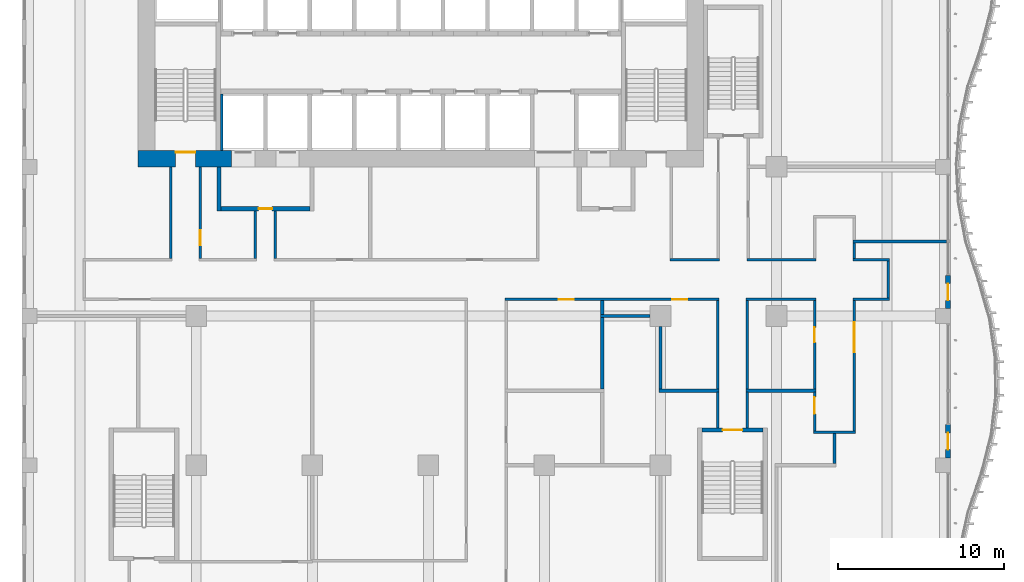
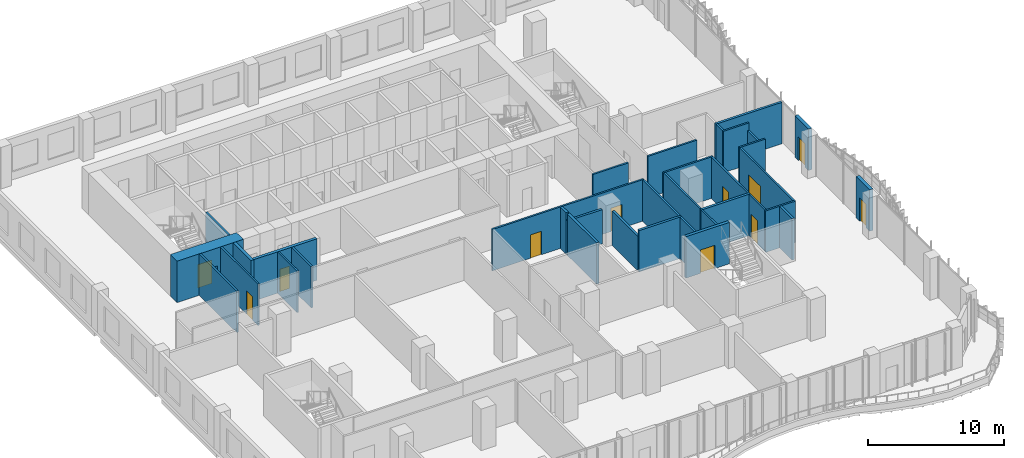
# One storey, part 14 of 28: 35 walls, 11 doors, 11 openings.
"""IFC4 building model written with IfcOpenShell, lengths in metres."""

from ifc_helpers import new_model, si_unit, direction, frame, frame_2d, origin, place, context, subcontext, project, spatial, rectangle, extrude, source, transform, mapped, material, layer, layer_set, type_object, element, fill, save


model = new_model("IFC4")

# Units and contexts
model_context = context("Model", 3, precision=1e-05, world=origin(), true_north=direction((0.0, 1.0)))
body_context = subcontext(model_context, "Body", "Model", "MODEL_VIEW")
ifc_project = project(units=[si_unit("LENGTHUNIT", "METRE"), si_unit("AREAUNIT", "SQUARE_METRE"), si_unit("VOLUMEUNIT", "CUBIC_METRE"), si_unit("PLANEANGLEUNIT", "RADIAN"), si_unit("MASSUNIT", "GRAM", prefix="KILO")], contexts=[model_context])

# Site, building, storey
site_placement = place(None, origin())
site = spatial("IfcSite", under=ifc_project, at=site_placement, CompositionType="ELEMENT")
building_placement = place(site_placement, origin())
building = spatial("IfcBuilding", under=site, at=building_placement, Name="Kilnfold Tower and Market Hall", CompositionType="ELEMENT")
storey_placement = place(building_placement, frame((0.0, 0.0, 87.199951171875)))
storey = spatial("IfcBuildingStorey", under=building, at=storey_placement, Name="L20", CompositionType="ELEMENT", Elevation=87.199951171875)

# Wall
ifc_material_1 = material(Name="Gypsum board on steel studs", Category="steel")
ifc_layer_1 = layer(ifc_material_1, 0.14990234375)
ifc_layer_set_1 = layer_set([ifc_layer_1], Name="Gypsum board on steel studs")
wall_type_1 = type_object("IfcWallType", Name="WALL CORRIDOR 150", PredefinedType="PARTITIONING", material=ifc_layer_set_1)
wall_1_placement = place(storey_placement, frame((-14.050048828125, 8.0, 0.0), z_axis=(0.0, 0.0, 1.0), x_axis=(0.0, -1.0, 0.0)))
element("IfcWall", 1, at=wall_1_placement, inside=storey, type_object=wall_type_1, Name="Partition LY14.9", PredefinedType="PARTITIONING", context=body_context, shape_type="SweptSolid", body=[
    extrude(rectangle(XDim=5.52490234375, YDim=0.14990234375, at=frame_2d((2.762451171875, 0.0))), origin(), (0.0, 0.0, 1.0), 3.719970703125),
])

# Wall, opening, door
wall_2_placement = place(storey_placement, frame((-12.25, 2.47509765625, 0.0), z_axis=(0.0, 0.0, 1.0), x_axis=(0.0, 1.0, 0.0)))
wall_2 = element("IfcWall", 2, at=wall_2_placement, inside=storey, type_object=wall_type_1, Name="Partition LY14.13", PredefinedType="PARTITIONING", context=body_context, shape_type="SweptSolid", body=[
    extrude(rectangle(XDim=5.52490234375, YDim=0.14990234375, at=frame_2d((2.762451171875, 0.0))), origin(), (0.0, 0.0, 1.0), 3.719970703125),
])
opening_1_placement = place(wall_2_placement, frame((0.803955078125, 0.0, 0.0)))
opening_1 = element("IfcOpeningElement", 3, at=opening_1_placement, cuts=wall_2, Name="Opening D2", PredefinedType="OPENING", context=body_context, shape_type="SweptSolid", body=[
    extrude(rectangle(XDim=0.89990234375, YDim=2.10009765625, at=frame_2d((0.449951171875, 1.050048828125))), frame((0.0, 0.0849609375, 0.0), z_axis=(0.0, -1.0, 0.0), x_axis=(1.0, 0.0, 0.0)), (0.0, 0.0, 1.0), 0.169921875),
])
ifc_material_2 = material(Name="Timber veneer door leaf in steel frame", Category="steel")
door_type_1 = type_object("IfcDoorType", Name="DOOR ROOM 900 X2100", OperationType="NOTDEFINED", PredefinedType="DOOR", material=ifc_material_2)
door_1_placement = place(opening_1_placement, origin())
door_1 = element("IfcDoor", 4, at=door_1_placement, inside=storey, type_object=door_type_1, Name="Door D2", OperationType="SINGLE_SWING_LEFT", OverallHeight=2.10009765625, OverallWidth=0.89990234375, PredefinedType="DOOR", context=body_context, shape_type="SweptSolid", body=[
    extrude(rectangle(XDim=0.89990234375, YDim=2.10009765625, at=frame_2d((0.449951171875, 1.050048828125))), frame((0.0, 0.02490234375, 0.0), z_axis=(0.0, -1.0, 0.0), x_axis=(1.0, 0.0, 0.0)), (0.0, 0.0, 1.0), 0.050048828125),
])
fill(opening_1, door_1)

# Walls
for number, where, z_axis, x_axis, name in (
    (5, (-8.929931640625, 5.35009765625, 0.0), (0.0, 0.0, 1.0), (0.0, -1.0, 0.0), "Partition LY14.15"),
    (6, (-7.72998046875, 2.47509765625, 0.0), (0.0, 0.0, 1.0), (0.0, 1.0, 0.0), "Partition LY14.16"),
):
    element("IfcWall", number, at=place(storey_placement, frame(where, z_axis=z_axis, x_axis=x_axis)), inside=storey, type_object=wall_type_1, Name=name, PredefinedType="PARTITIONING", context=body_context, shape_type="SweptSolid", body=[
        extrude(rectangle(XDim=2.875, YDim=0.14990234375, at=frame_2d((1.4375, 0.0))), origin(), (0.0, 0.0, 1.0), 3.719970703125),
    ])

# Wall, openings, doors
wall_3_placement = place(storey_placement, frame((6.125, 0.0, 0.0), z_axis=(0.0, 0.0, 1.0), x_axis=(1.0, 0.0, 0.0)))
wall_3 = element("IfcWall", 7, at=wall_3_placement, inside=storey, type_object=wall_type_1, Name="Partition LY14.21", PredefinedType="PARTITIONING", context=body_context, shape_type="SweptSolid", body=[
    extrude(rectangle(XDim=12.89990234375, YDim=0.14990234375, at=frame_2d((6.449951171875, 0.0))), origin(), (0.0, 0.0, 1.0), 3.719970703125),
])
opening_2_placement = place(wall_3_placement, frame((3.257080078125, 0.0, 0.0)))
opening_2 = element("IfcOpeningElement", 8, at=opening_2_placement, cuts=wall_3, Name="Opening D3", PredefinedType="OPENING", context=body_context, shape_type="SweptSolid", body=[
    extrude(rectangle(XDim=0.89990234375, YDim=2.10009765625, at=frame_2d((0.449951171875, 1.050048828125))), frame((0.0, 0.0849609375, 0.0), z_axis=(0.0, -1.0, 0.0), x_axis=(1.0, 0.0, 0.0)), (0.0, 0.0, 1.0), 0.169921875),
])
opening_3_placement = place(wall_3_placement, frame((10.090087890625, 0.0, 0.0)))
opening_3 = element("IfcOpeningElement", 9, at=opening_3_placement, cuts=wall_3, Name="Opening D2", PredefinedType="OPENING", context=body_context, shape_type="SweptSolid", body=[
    extrude(rectangle(XDim=0.89990234375, YDim=2.10009765625, at=frame_2d((0.449951171875, 1.050048828125))), frame((0.0, 0.0849609375, 0.0), z_axis=(0.0, -1.0, 0.0), x_axis=(1.0, 0.0, 0.0)), (0.0, 0.0, 1.0), 0.169921875),
])
door_2_placement = place(opening_3_placement, origin())
door_2 = element("IfcDoor", 10, at=door_2_placement, inside=storey, type_object=door_type_1, Name="Door D2", OperationType="SINGLE_SWING_LEFT", OverallHeight=2.10009765625, OverallWidth=0.89990234375, PredefinedType="DOOR", context=body_context, shape_type="SweptSolid", body=[
    extrude(rectangle(XDim=0.89990234375, YDim=2.10009765625, at=frame_2d((0.449951171875, 1.050048828125))), frame((0.0, 0.02490234375, 0.0), z_axis=(0.0, -1.0, 0.0), x_axis=(1.0, 0.0, 0.0)), (0.0, 0.0, 1.0), 0.050048828125),
])
fill(opening_3, door_2)
ifc_material_3 = material(Name="Timber veneer door leaf in steel frame", Category="steel")
door_type_2 = type_object("IfcDoorType", Name="DOOR WC 900 X2100", OperationType="NOTDEFINED", PredefinedType="DOOR", material=ifc_material_3)
door_3_placement = place(opening_2_placement, origin())
door_3 = element("IfcDoor", 11, at=door_3_placement, inside=storey, type_object=door_type_2, Name="Door D3", OperationType="SINGLE_SWING_LEFT", OverallHeight=2.10009765625, OverallWidth=0.89990234375, PredefinedType="DOOR", context=body_context, shape_type="SweptSolid", body=[
    extrude(rectangle(XDim=0.89990234375, YDim=2.10009765625, at=frame_2d((0.449951171875, 1.050048828125))), frame((0.0, 0.02490234375, 0.0), z_axis=(0.0, -1.0, 0.0), x_axis=(1.0, 0.0, 0.0)), (0.0, 0.0, 1.0), 0.050048828125),
])
fill(opening_2, door_3)

# Walls
wall_4_placement = place(storey_placement, frame((18.949951171875, -5.409912109375, 0.0), z_axis=(0.0, 0.0, 1.0), x_axis=(0.0, 1.0, 0.0)))
element("IfcWall", 12, at=wall_4_placement, inside=storey, type_object=wall_type_1, Name="Partition LY14.23", PredefinedType="PARTITIONING", context=body_context, shape_type="SweptSolid", body=[
    extrude(rectangle(XDim=5.3349609375, YDim=0.14990234375, at=frame_2d((2.66748046875, 0.0))), origin(), (0.0, 0.0, 1.0), 3.719970703125),
])
wall_5_placement = place(storey_placement, frame((24.72509765625, -8.0, 0.0), z_axis=(0.0, 0.0, 1.0), x_axis=(1.0, 0.0, 0.0)))
element("IfcWall", 13, at=wall_5_placement, inside=storey, type_object=wall_type_1, Name="Partition LY14.24", PredefinedType="PARTITIONING", context=body_context, shape_type="SweptSolid", body=[
    extrude(rectangle(XDim=2.5498046875, YDim=0.14990234375, at=frame_2d((1.27490234375, 0.0))), origin(), (0.0, 0.0, 1.0), 3.719970703125),
])

# Wall, opening, door
wall_6_placement = place(storey_placement, frame((24.800048828125, -7.925048828125, 0.0), z_axis=(0.0, 0.0, 1.0), x_axis=(0.0, 1.0, 0.0)))
wall_6 = element("IfcWall", 14, at=wall_6_placement, inside=storey, type_object=wall_type_1, Name="Partition LY14.25", PredefinedType="PARTITIONING", context=body_context, shape_type="SweptSolid", body=[
    extrude(rectangle(XDim=2.3349609375, YDim=0.14990234375, at=frame_2d((1.16748046875, 0.0))), origin(), (0.0, 0.0, 1.0), 3.719970703125),
])
opening_4_placement = place(wall_6_placement, frame((1.031005859375, 0.0, 0.0)))
opening_4 = element("IfcOpeningElement", 15, at=opening_4_placement, cuts=wall_6, Name="Opening D1", PredefinedType="OPENING", context=body_context, shape_type="SweptSolid", body=[
    extrude(rectangle(XDim=1.0, YDim=2.10009765625, at=frame_2d((0.5, 1.050048828125))), frame((0.0, 0.0849609375, 0.0), z_axis=(0.0, -1.0, 0.0), x_axis=(1.0, 0.0, 0.0)), (0.0, 0.0, 1.0), 0.169921875),
])
ifc_material_4 = material(Name="Timber veneer door leaf in steel frame", Category="steel")
door_type_3 = type_object("IfcDoorType", Name="DOOR ENTRY 1000 X2100", OperationType="NOTDEFINED", PredefinedType="DOOR", material=ifc_material_4)
door_4_placement = place(opening_4_placement, origin())
door_4 = element("IfcDoor", 16, at=door_4_placement, inside=storey, type_object=door_type_3, Name="Door D1", OperationType="SINGLE_SWING_RIGHT", OverallHeight=2.10009765625, OverallWidth=1.0, PredefinedType="DOOR", context=body_context, shape_type="SweptSolid", body=[
    extrude(rectangle(XDim=1.0, YDim=2.10009765625, at=frame_2d((0.5, 1.050048828125))), frame((0.0, 0.02490234375, 0.0), z_axis=(0.0, -1.0, 0.0), x_axis=(1.0, 0.0, 0.0)), (0.0, 0.0, 1.0), 0.050048828125),
])
fill(opening_4, door_4)

# Walls
for number, where, z_axis, x_axis, name in (
    (17, (20.75, -7.75, 0.0), (0.0, 0.0, 1.0), (0.0, 1.0, 0.0), "Partition LY14.26"),
    (18, (18.949951171875, -7.75, 0.0), (0.0, 0.0, 1.0), (0.0, 1.0, 0.0), "Partition LY14.27"),
):
    element("IfcWall", number, at=place(storey_placement, frame(where, z_axis=z_axis, x_axis=x_axis)), inside=storey, type_object=wall_type_1, Name=name, PredefinedType="PARTITIONING", context=body_context, shape_type="SweptSolid", body=[
        extrude(rectangle(XDim=2.159912109375, YDim=0.14990234375, at=frame_2d((1.080078125, 0.0))), origin(), (0.0, 0.0, 1.0), 3.719970703125),
    ])
wall_7_placement = place(storey_placement, frame((16.074951171875, 2.39990234375, 0.0), z_axis=(0.0, 0.0, 1.0), x_axis=(1.0, 0.0, 0.0)))
element("IfcWall", 19, at=wall_7_placement, inside=storey, type_object=wall_type_1, Name="Partition LY14.29", PredefinedType="PARTITIONING", context=body_context, shape_type="SweptSolid", body=[
    extrude(rectangle(XDim=3.0, YDim=0.14990234375, at=frame_2d((1.5, 0.0))), origin(), (0.0, 0.0, 1.0), 3.719970703125),
])

# Wall, opening, door
wall_8_placement = place(storey_placement, frame((24.800048828125, -5.409912109375, 0.0), z_axis=(0.0, 0.0, 1.0), x_axis=(0.0, 1.0, 0.0)))
wall_8 = element("IfcWall", 20, at=wall_8_placement, inside=storey, type_object=wall_type_1, Name="Partition LY14.32", PredefinedType="PARTITIONING", context=body_context, shape_type="SweptSolid", body=[
    extrude(rectangle(XDim=5.3349609375, YDim=0.14990234375, at=frame_2d((2.66748046875, 0.0))), origin(), (0.0, 0.0, 1.0), 3.719970703125),
])
opening_5_placement = place(wall_8_placement, frame((2.822998046875, 0.0, 0.0)))
opening_5 = element("IfcOpeningElement", 21, at=opening_5_placement, cuts=wall_8, Name="Opening D2", PredefinedType="OPENING", context=body_context, shape_type="SweptSolid", body=[
    extrude(rectangle(XDim=0.89990234375, YDim=2.10009765625, at=frame_2d((0.449951171875, 1.050048828125))), frame((0.0, 0.0849609375, 0.0), z_axis=(0.0, -1.0, 0.0), x_axis=(1.0, 0.0, 0.0)), (0.0, 0.0, 1.0), 0.169921875),
])
door_5_placement = place(opening_5_placement, origin())
door_5 = element("IfcDoor", 22, at=door_5_placement, inside=storey, type_object=door_type_1, Name="Door D2", OperationType="SINGLE_SWING_LEFT", OverallHeight=2.10009765625, OverallWidth=0.89990234375, PredefinedType="DOOR", context=body_context, shape_type="SweptSolid", body=[
    extrude(rectangle(XDim=0.89990234375, YDim=2.10009765625, at=frame_2d((0.449951171875, 1.050048828125))), frame((0.0, 0.02490234375, 0.0), z_axis=(0.0, -1.0, 0.0), x_axis=(1.0, 0.0, 0.0)), (0.0, 0.0, 1.0), 0.050048828125),
])
fill(opening_5, door_5)

# Walls
wall_9_placement = place(storey_placement, frame((20.675048828125, 0.0, 0.0), z_axis=(0.0, 0.0, 1.0), x_axis=(1.0, 0.0, 0.0)))
element("IfcWall", 23, at=wall_9_placement, inside=storey, type_object=wall_type_1, Name="Partition LY14.33", PredefinedType="PARTITIONING", context=body_context, shape_type="SweptSolid", body=[
    extrude(rectangle(XDim=4.199951171875, YDim=0.14990234375, at=frame_2d((2.10009765625, 0.0))), origin(), (0.0, 0.0, 1.0), 3.719970703125),
])
wall_10_placement = place(storey_placement, frame((20.75, -5.409912109375, 0.0), z_axis=(0.0, 0.0, 1.0), x_axis=(0.0, 1.0, 0.0)))
element("IfcWall", 24, at=wall_10_placement, inside=storey, type_object=wall_type_1, Name="Partition LY14.34", PredefinedType="PARTITIONING", context=body_context, shape_type="SweptSolid", body=[
    extrude(rectangle(XDim=5.3349609375, YDim=0.14990234375, at=frame_2d((2.66748046875, 0.0))), origin(), (0.0, 0.0, 1.0), 3.719970703125),
])
wall_11_placement = place(storey_placement, frame((20.72509765625, 2.39990234375, 0.0), z_axis=(0.0, 0.0, 1.0), x_axis=(1.0, 0.0, 0.0)))
element("IfcWall", 25, at=wall_11_placement, inside=storey, type_object=wall_type_1, Name="Partition LY14.36", PredefinedType="PARTITIONING", context=body_context, shape_type="SweptSolid", body=[
    extrude(rectangle(XDim=4.14990234375, YDim=0.14990234375, at=frame_2d((2.074951171875, 0.0))), origin(), (0.0, 0.0, 1.0), 3.719970703125),
])
wall_12_placement = place(storey_placement, frame((27.199951171875, 2.47509765625, 0.0), z_axis=(0.0, 0.0, 1.0), x_axis=(0.0, 1.0, 0.0)))
element("IfcWall", 26, at=wall_12_placement, inside=storey, type_object=wall_type_1, Name="Partition LY14.40", PredefinedType="PARTITIONING", context=body_context, shape_type="SweptSolid", body=[
    extrude(rectangle(XDim=0.934814453125, YDim=0.14990234375, at=frame_2d((0.46728515625, 0.0))), origin(), (0.0, 0.0, 1.0), 3.719970703125),
])
wall_13_placement = place(storey_placement, frame((27.125, 2.39990234375, 0.0), z_axis=(0.0, 0.0, 1.0), x_axis=(1.0, 0.0, 0.0)))
element("IfcWall", 27, at=wall_13_placement, inside=storey, type_object=wall_type_1, Name="Partition LY14.41", PredefinedType="PARTITIONING", context=body_context, shape_type="SweptSolid", body=[
    extrude(rectangle(XDim=2.199951171875, YDim=0.14990234375, at=frame_2d((1.10009765625, 0.0))), origin(), (0.0, 0.0, 1.0), 3.719970703125),
])
wall_14_placement = place(storey_placement, frame((29.25, 0.074951171875, 0.0), z_axis=(0.0, 0.0, 1.0), x_axis=(0.0, 1.0, 0.0)))
element("IfcWall", 28, at=wall_14_placement, inside=storey, type_object=wall_type_1, Name="Partition LY14.42", PredefinedType="PARTITIONING", context=body_context, shape_type="SweptSolid", body=[
    extrude(rectangle(XDim=2.25, YDim=0.14990234375, at=frame_2d((1.125, 0.0))), origin(), (0.0, 0.0, 1.0), 3.070068359375),
])
wall_15_placement = place(storey_placement, frame((27.125, 0.0, 0.0), z_axis=(0.0, 0.0, 1.0), x_axis=(1.0, 0.0, 0.0)))
element("IfcWall", 29, at=wall_15_placement, inside=storey, type_object=wall_type_1, Name="Partition LY14.43", PredefinedType="PARTITIONING", context=body_context, shape_type="SweptSolid", body=[
    extrude(rectangle(XDim=2.199951171875, YDim=0.14990234375, at=frame_2d((1.10009765625, 0.0))), origin(), (0.0, 0.0, 1.0), 3.719970703125),
])

# Wall, opening, door
wall_16_placement = place(storey_placement, frame((27.199951171875, -7.925048828125, 0.0), z_axis=(0.0, 0.0, 1.0), x_axis=(0.0, 1.0, 0.0)))
wall_16 = element("IfcWall", 30, at=wall_16_placement, inside=storey, type_object=wall_type_1, Name="Partition LY14.44", PredefinedType="PARTITIONING", context=body_context, shape_type="SweptSolid", body=[
    extrude(rectangle(XDim=7.85009765625, YDim=0.14990234375, at=frame_2d((3.925048828125, 0.0))), origin(), (0.0, 0.0, 1.0), 3.719970703125),
])
opening_6_placement = place(wall_16_placement, frame((4.739990234375, 0.0, 0.0)))
opening_6 = element("IfcOpeningElement", 31, at=opening_6_placement, cuts=wall_16, Name="Opening D5", PredefinedType="OPENING", context=body_context, shape_type="SweptSolid", body=[
    extrude(rectangle(XDim=1.800048828125, YDim=2.10009765625, at=frame_2d((0.89990234375, 1.050048828125))), frame((0.0, 0.0849609375, 0.0), z_axis=(0.0, -1.0, 0.0), x_axis=(1.0, 0.0, 0.0)), (0.0, 0.0, 1.0), 0.169921875),
])
ifc_material_5 = material(Name="Timber veneer door leaf in steel frame", Category="steel")
door_type_4 = type_object("IfcDoorType", Name="DOOR DOUBLE 1800 X2100", OperationType="NOTDEFINED", PredefinedType="DOOR", material=ifc_material_5)
door_6_placement = place(opening_6_placement, origin())
door_6 = element("IfcDoor", 32, at=door_6_placement, inside=storey, type_object=door_type_4, Name="Door D5", OperationType="DOUBLE_DOOR_SINGLE_SWING", OverallHeight=2.10009765625, OverallWidth=1.800048828125, PredefinedType="DOOR", context=body_context, shape_type="SweptSolid", body=[
    extrude(rectangle(XDim=1.800048828125, YDim=2.10009765625, at=frame_2d((0.89990234375, 1.050048828125))), frame((0.0, 0.02490234375, 0.0), z_axis=(0.0, -1.0, 0.0), x_axis=(1.0, 0.0, 0.0)), (0.0, 0.0, 1.0), 0.050048828125),
])
fill(opening_6, door_6)

# Walls
ifc_material_6 = material(Name="Gypsum board on steel studs", Category="steel")
ifc_layer_2 = layer(ifc_material_6, 0.199951171875)
ifc_layer_set_2 = layer_set([ifc_layer_2], Name="Gypsum board on steel studs")
wall_type_2 = type_object("IfcWallType", Name="WALL PARTY 200", PredefinedType="PARTITIONING", material=ifc_layer_set_2)
wall_17_placement = place(storey_placement, frame((12.0, -0.909912109375, 0.0), z_axis=(0.0, 0.0, 1.0), x_axis=(0.0, 1.0, 0.0)))
element("IfcWall", 33, at=wall_17_placement, inside=storey, type_object=wall_type_2, Name="Partition LY14.64", PredefinedType="PARTITIONING", context=body_context, shape_type="SweptSolid", body=[
    extrude(rectangle(XDim=0.833984375, YDim=0.199951171875, at=frame_2d((0.4169921875, 0.0))), origin(), (0.0, 0.0, 1.0), 3.719970703125),
])
wall_18_placement = place(storey_placement, frame((12.0, -5.39990234375, 0.0), z_axis=(0.0, 0.0, 1.0), x_axis=(0.0, 1.0, 0.0)))
element("IfcWall", 34, at=wall_18_placement, inside=storey, type_object=wall_type_2, Name="Partition LY14.65", PredefinedType="PARTITIONING", context=body_context, shape_type="SweptSolid", body=[
    extrude(rectangle(XDim=4.309814453125, YDim=0.199951171875, at=frame_2d((2.15478515625, 0.0))), origin(), (0.0, 0.0, 1.0), 3.719970703125),
])
wall_19_placement = place(storey_placement, frame((15.39990234375, -5.5, 0.0), z_axis=(0.0, 0.0, 1.0), x_axis=(1.0, 0.0, 0.0)))
element("IfcWall", 35, at=wall_19_placement, inside=storey, type_object=wall_type_2, Name="Partition LY14.66", PredefinedType="PARTITIONING", context=body_context, shape_type="SweptSolid", body=[
    extrude(rectangle(XDim=3.6240234375, YDim=0.199951171875, at=frame_2d((1.81201171875, 0.0))), origin(), (0.0, 0.0, 1.0), 3.719970703125),
])
wall_20_placement = place(storey_placement, frame((15.5, -5.39990234375, 0.0), z_axis=(0.0, 0.0, 1.0), x_axis=(0.0, 1.0, 0.0)))
element("IfcWall", 36, at=wall_20_placement, inside=storey, type_object=wall_type_2, Name="Partition LY14.67", PredefinedType="PARTITIONING", context=body_context, shape_type="SweptSolid", body=[
    extrude(rectangle(XDim=3.77490234375, YDim=0.199951171875, at=frame_2d((1.887451171875, 0.0))), origin(), (0.0, 0.0, 1.0), 3.070068359375),
])
wall_21_placement = place(storey_placement, frame((11.89990234375, -1.0, 0.0), z_axis=(0.0, 0.0, 1.0), x_axis=(1.0, 0.0, 0.0)))
element("IfcWall", 37, at=wall_21_placement, inside=storey, type_object=wall_type_2, Name="Partition LY14.68", PredefinedType="PARTITIONING", context=body_context, shape_type="SweptSolid", body=[
    extrude(rectangle(XDim=2.97509765625, YDim=0.199951171875, at=frame_2d((1.487548828125, 0.0))), origin(), (0.0, 0.0, 1.0), 3.070068359375),
])
wall_22_placement = place(storey_placement, frame((20.676025390625, -5.5, 0.0), z_axis=(0.0, 0.0, 1.0), x_axis=(1.0, 0.0, 0.0)))
element("IfcWall", 38, at=wall_22_placement, inside=storey, type_object=wall_type_2, Name="Partition LY14.69", PredefinedType="PARTITIONING", context=body_context, shape_type="SweptSolid", body=[
    extrude(rectangle(XDim=4.197998046875, YDim=0.199951171875, at=frame_2d((2.09912109375, 0.0))), origin(), (0.0, 0.0, 1.0), 3.719970703125),
])
wall_23_placement = place(storey_placement, frame((26.0, -9.89990234375, 0.0), z_axis=(0.0, 0.0, 1.0), x_axis=(0.0, 1.0, 0.0)))
element("IfcWall", 39, at=wall_23_placement, inside=storey, type_object=wall_type_2, Name="Partition LY14.70", PredefinedType="PARTITIONING", context=body_context, shape_type="SweptSolid", body=[
    extrude(rectangle(XDim=1.823974609375, YDim=0.199951171875, at=frame_2d((0.912109375, 0.0))), origin(), (0.0, 0.0, 1.0), 3.719970703125),
])
wall_24_placement = place(storey_placement, frame((27.1259765625, 3.5, 0.0), z_axis=(0.0, 0.0, 1.0), x_axis=(1.0, 0.0, 0.0)))
element("IfcWall", 40, at=wall_24_placement, inside=storey, type_object=wall_type_2, Name="Partition LY14.76", PredefinedType="PARTITIONING", context=body_context, shape_type="SweptSolid", body=[
    extrude(rectangle(XDim=5.6240234375, YDim=0.199951171875, at=frame_2d((2.81201171875, 0.0))), origin(), (0.0, 0.0, 1.0), 3.719970703125),
])

# Wall, opening, door
ifc_material_7 = material(Name="Concrete C80", Category="concrete")
ifc_layer_3 = layer(ifc_material_7, 1.0)
ifc_layer_set_3 = layer_set([ifc_layer_3], Name="Concrete C80")
wall_type_3 = type_object("IfcWallType", Name="CORE WALL 1000 C80", PredefinedType="SHEAR", material=ifc_layer_set_3)
shared_shape_1 = source(origin(), body_context, "Body", "SweptSolid", [
    extrude(rectangle(XDim=5.6298828125, YDim=1.0, at=frame_2d((2.81494140625, 0.0))), origin(), (0.0, 0.0, 1.0), 3.719970703125),
])
wall_25_placement = place(storey_placement, frame((-16.0, 8.5, 0.0), z_axis=(0.0, 0.0, 1.0), x_axis=(1.0, 0.0, 0.0)))
wall_25 = element("IfcWall", 41, at=wall_25_placement, inside=storey, type_object=wall_type_3, Name="Core outer wall south", PredefinedType="SHEAR", context=body_context, shape_type="MappedRepresentation", body=[
    mapped(shared_shape_1, transform((0.0, 0.0, 0.0))),
])
opening_7_placement = place(wall_25_placement, frame((2.25, 0.0, 0.0)))
opening_7 = element("IfcOpeningElement", 42, at=opening_7_placement, cuts=wall_25, Name="Opening SD1", PredefinedType="OPENING", context=body_context, shape_type="SweptSolid", body=[
    extrude(rectangle(XDim=1.199951171875, YDim=2.10009765625, at=frame_2d((0.60009765625, 1.050048828125))), frame((0.0, 0.510009765625, 0.0), z_axis=(0.0, -1.0, 0.0), x_axis=(1.0, 0.0, 0.0)), (0.0, 0.0, 1.0), 1.02001953125),
])
ifc_material_8 = material(Name="Steel door set with fire-resisting leaf", Category="steel")
door_type_5 = type_object("IfcDoorType", Name="STAIR FLOOR DOOR 1200X2100", OperationType="NOTDEFINED", PredefinedType="DOOR", material=ifc_material_8)
door_7_placement = place(opening_7_placement, origin())
door_7 = element("IfcDoor", 43, at=door_7_placement, inside=storey, type_object=door_type_5, Name="Exit stair ST1 door", OperationType="DOUBLE_DOOR_SINGLE_SWING", OverallHeight=2.10009765625, OverallWidth=1.199951171875, PredefinedType="DOOR", context=body_context, shape_type="SweptSolid", body=[
    extrude(rectangle(XDim=1.199951171875, YDim=2.10009765625, at=frame_2d((0.60009765625, 1.050048828125))), frame((0.0, 0.40478515625, 0.0), z_axis=(0.0, -1.0, 0.0), x_axis=(1.0, 0.0, 0.0)), (0.0, 0.0, 1.0), 0.050048828125),
])
fill(opening_7, door_7)

ifc_material_9 = material(Name="Concrete C80", Category="concrete")
ifc_layer_4 = layer(ifc_material_9, 0.25)
ifc_layer_set_4 = layer_set([ifc_layer_4], Name="Concrete C80")
wall_type_4 = type_object("IfcWallType", Name="CORE WALL 250 C80", PredefinedType="SHEAR", material=ifc_layer_set_4)
shared_shape_2 = source(origin(), body_context, "Body", "SweptSolid", [
    extrude(rectangle(XDim=3.699951171875, YDim=0.25, at=frame_2d((1.85009765625, 0.0))), origin(), (0.0, 0.0, 1.0), 3.719970703125),
])
wall_26_placement = place(storey_placement, frame((18.0, -7.875, 0.0), z_axis=(0.0, 0.0, 1.0), x_axis=(1.0, 0.0, 0.0)))
wall_26 = element("IfcWall", 44, at=wall_26_placement, inside=storey, type_object=wall_type_4, Name="Stair enclosure ST4", PredefinedType="SHEAR", context=body_context, shape_type="MappedRepresentation", body=[
    mapped(shared_shape_2, transform((0.0, 0.0, 0.0))),
])
opening_8_placement = place(wall_26_placement, frame((1.25, 0.0, 0.0)))
opening_8 = element("IfcOpeningElement", 45, at=opening_8_placement, cuts=wall_26, Name="Opening SD1", PredefinedType="OPENING", context=body_context, shape_type="SweptSolid", body=[
    extrude(rectangle(XDim=1.199951171875, YDim=2.10009765625, at=frame_2d((0.60009765625, 1.050048828125))), frame((0.0, 0.135009765625, 0.0), z_axis=(0.0, -1.0, 0.0), x_axis=(1.0, 0.0, 0.0)), (0.0, 0.0, 1.0), 0.27001953125),
])
door_8_placement = place(opening_8_placement, origin())
door_8 = element("IfcDoor", 46, at=door_8_placement, inside=storey, type_object=door_type_5, Name="Exit stair ST4 door", OperationType="DOUBLE_DOOR_SINGLE_SWING", OverallHeight=2.10009765625, OverallWidth=1.199951171875, PredefinedType="DOOR", context=body_context, shape_type="SweptSolid", body=[
    extrude(rectangle(XDim=1.199951171875, YDim=2.10009765625, at=frame_2d((0.60009765625, 1.050048828125))), frame((0.0, 0.02490234375, 0.0), z_axis=(0.0, -1.0, 0.0), x_axis=(1.0, 0.0, 0.0)), (0.0, 0.0, 1.0), 0.050048828125),
])
fill(opening_8, door_8)

ifc_material_10 = material(Name="Precast concrete C50/60", Category="concrete")
ifc_layer_5 = layer(ifc_material_10, 0.300048828125)
ifc_layer_set_5 = layer_set([ifc_layer_5], Name="Precast concrete C50/60")
wall_type_5 = type_object("IfcWallType", Name="PRECAST WALL 300", PredefinedType="SOLIDWALL", material=ifc_layer_set_5)
shared_shape_3 = source(origin(), body_context, "Body", "SweptSolid", [
    extrude(rectangle(XDim=2.0, YDim=0.300048828125, at=frame_2d((1.0, 0.0))), origin(), (0.0, 0.0, 1.0), 3.719970703125),
])
wall_27_placement = place(storey_placement, frame((32.85009765625, -9.550048828125, 0.0), z_axis=(0.0, 0.0, 1.0), x_axis=(0.0, 1.0, 0.0)))
wall_27 = element("IfcWall", 47, at=wall_27_placement, inside=storey, type_object=wall_type_5, Name="External wall L20 E", PredefinedType="SOLIDWALL", context=body_context, shape_type="MappedRepresentation", body=[
    mapped(shared_shape_3, transform((0.0, 0.0, 0.0))),
])
opening_9_placement = place(wall_27_placement, frame((0.5, 0.0, 0.0)))
opening_9 = element("IfcOpeningElement", 48, at=opening_9_placement, cuts=wall_27, Name="Opening BD1", PredefinedType="OPENING", context=body_context, shape_type="SweptSolid", body=[
    extrude(rectangle(XDim=1.0, YDim=2.10009765625, at=frame_2d((0.5, 1.050048828125))), frame((0.0, 0.16015625, 0.0), z_axis=(0.0, -1.0, 0.0), x_axis=(1.0, 0.0, 0.0)), (0.0, 0.0, 1.0), 0.320068359375),
])
ifc_material_11 = material(Name="Aluminium frame and double glazing", Category="aluminium")
door_type_6 = type_object("IfcDoorType", Name="BALCONY DOOR 1000X2100", OperationType="NOTDEFINED", PredefinedType="DOOR", material=ifc_material_11)
door_9_placement = place(opening_9_placement, origin())
door_9 = element("IfcDoor", 49, at=door_9_placement, inside=storey, type_object=door_type_6, Name="Balcony door BD1 L20 E-1", OperationType="SINGLE_SWING_LEFT", OverallHeight=2.10009765625, OverallWidth=1.0, PredefinedType="DOOR", context=body_context, shape_type="SweptSolid", body=[
    extrude(rectangle(XDim=1.0, YDim=2.10009765625, at=frame_2d((0.5, 1.050048828125))), frame((0.0, 0.02490234375, 0.0), z_axis=(0.0, -1.0, 0.0), x_axis=(1.0, 0.0, 0.0)), (0.0, 0.0, 1.0), 0.050048828125),
])
fill(opening_9, door_9)

wall_28_placement = place(storey_placement, frame((32.85009765625, -0.550048828125, 0.0), z_axis=(0.0, 0.0, 1.0), x_axis=(0.0, 1.0, 0.0)))
wall_28 = element("IfcWall", 50, at=wall_28_placement, inside=storey, type_object=wall_type_5, Name="External wall L20 E", PredefinedType="SOLIDWALL", context=body_context, shape_type="MappedRepresentation", body=[
    mapped(shared_shape_3, transform((0.0, 0.0, 0.0))),
])
opening_10_placement = place(wall_28_placement, frame((0.5, 0.0, 0.0)))
opening_10 = element("IfcOpeningElement", 51, at=opening_10_placement, cuts=wall_28, Name="Opening BD1", PredefinedType="OPENING", context=body_context, shape_type="SweptSolid", body=[
    extrude(rectangle(XDim=1.0, YDim=2.10009765625, at=frame_2d((0.5, 1.050048828125))), frame((0.0, 0.16015625, 0.0), z_axis=(0.0, -1.0, 0.0), x_axis=(1.0, 0.0, 0.0)), (0.0, 0.0, 1.0), 0.320068359375),
])
door_10_placement = place(opening_10_placement, origin())
door_10 = element("IfcDoor", 52, at=door_10_placement, inside=storey, type_object=door_type_6, Name="Balcony door BD1 L20 E-1", OperationType="SINGLE_SWING_LEFT", OverallHeight=2.10009765625, OverallWidth=1.0, PredefinedType="DOOR", context=body_context, shape_type="SweptSolid", body=[
    extrude(rectangle(XDim=1.0, YDim=2.10009765625, at=frame_2d((0.5, 1.050048828125))), frame((0.0, 0.02490234375, 0.0), z_axis=(0.0, -1.0, 0.0), x_axis=(1.0, 0.0, 0.0)), (0.0, 0.0, 1.0), 0.050048828125),
])
fill(opening_10, door_10)

# Wall
ifc_material_12 = material(Name="Gypsum shaft wall system")
ifc_layer_6 = layer(ifc_material_12, 0.25)
ifc_layer_set_6 = layer_set([ifc_layer_6], Name="Gypsum shaft wall system")
wall_type_6 = type_object("IfcWallType", Name="LOBBY WALL 250", PredefinedType="PARTITIONING", material=ifc_layer_set_6)
shared_shape_4 = source(origin(), body_context, "Body", "SweptSolid", [
    extrude(rectangle(XDim=2.64990234375, YDim=0.25, at=frame_2d((1.324951171875, 0.0))), origin(), (0.0, 0.0, 1.0), 3.719970703125),
])
wall_29_placement = place(storey_placement, frame((-11.135009765625, 5.35009765625, 0.0), z_axis=(0.0, 0.0, 1.0), x_axis=(0.0, 1.0, 0.0)))
element("IfcWall", 53, at=wall_29_placement, inside=storey, type_object=wall_type_6, Name="Firefighting lobby wall", PredefinedType="PARTITIONING", context=body_context, shape_type="MappedRepresentation", body=[
    mapped(shared_shape_4, transform((0.0, 0.0, 0.0))),
])

# Wall, opening, door
shared_shape_5 = source(origin(), body_context, "Body", "SweptSolid", [
    extrude(rectangle(XDim=5.360107421875, YDim=0.25, at=frame_2d((2.68017578125, 0.0))), origin(), (0.0, 0.0, 1.0), 3.719970703125),
])
wall_30_placement = place(storey_placement, frame((-11.010009765625, 5.47509765625, 0.0), z_axis=(0.0, 0.0, 1.0), x_axis=(1.0, 0.0, 0.0)))
wall_30 = element("IfcWall", 54, at=wall_30_placement, inside=storey, type_object=wall_type_6, Name="Firefighting lobby wall", PredefinedType="PARTITIONING", context=body_context, shape_type="MappedRepresentation", body=[
    mapped(shared_shape_5, transform((0.0, 0.0, 0.0))),
])
opening_11_placement = place(wall_30_placement, frame((2.280029296875, 0.0, 0.0)))
opening_11 = element("IfcOpeningElement", 55, at=opening_11_placement, cuts=wall_30, Name="Opening VD1", PredefinedType="OPENING", context=body_context, shape_type="SweptSolid", body=[
    extrude(rectangle(XDim=0.800048828125, YDim=2.0, at=frame_2d((0.39990234375, 1.0))), frame((0.0, 0.135009765625, 0.0), z_axis=(0.0, -1.0, 0.0), x_axis=(1.0, 0.0, 0.0)), (0.0, 0.0, 1.0), 0.27001953125),
])
ifc_material_13 = material(Name="Steel door set with fire-resisting leaf", Category="steel")
door_type_7 = type_object("IfcDoorType", Name="FIREFIGHTING LOBBY DOOR 800X2000", OperationType="NOTDEFINED", PredefinedType="DOOR", material=ifc_material_13)
door_11_placement = place(opening_11_placement, origin())
door_11 = element("IfcDoor", 56, at=door_11_placement, inside=storey, type_object=door_type_7, Name="Firefighting lobby door", OperationType="SINGLE_SWING_LEFT", OverallHeight=2.0, OverallWidth=0.800048828125, PredefinedType="DOOR", context=body_context, shape_type="SweptSolid", body=[
    extrude(rectangle(XDim=0.800048828125, YDim=2.0, at=frame_2d((0.39990234375, 1.0))), frame((0.0, 0.02490234375, 0.0), z_axis=(0.0, -1.0, 0.0), x_axis=(1.0, 0.0, 0.0)), (0.0, 0.0, 1.0), 0.050048828125),
])
fill(opening_11, door_11)

# Wall
ifc_material_14 = material(Name="Gypsum shaft wall system")
ifc_layer_7 = layer(ifc_material_14, 0.1650390625)
ifc_layer_set_7 = layer_set([ifc_layer_7], Name="Gypsum shaft wall system")
wall_type_7 = type_object("IfcWallType", Name="SHAFT WALL 165", PredefinedType="PARTITIONING", material=ifc_layer_set_7)
shared_shape_6 = source(origin(), body_context, "Body", "SweptSolid", [
    extrude(rectangle(XDim=3.39990234375, YDim=0.1650390625, at=frame_2d((1.699951171875, 0.0))), origin(), (0.0, 0.0, 1.0), 3.719970703125),
])
wall_31_placement = place(storey_placement, frame((-10.967529296875, 9.0, 0.0), z_axis=(0.0, 0.0, 1.0), x_axis=(0.0, 1.0, 0.0)))
element("IfcWall", 57, at=wall_31_placement, inside=storey, type_object=wall_type_7, Name="Lift shaft wall", PredefinedType="PARTITIONING", context=body_context, shape_type="MappedRepresentation", body=[
    mapped(shared_shape_6, transform((0.0, 0.0, 0.0))),
])

save(model, "model.ifc")
